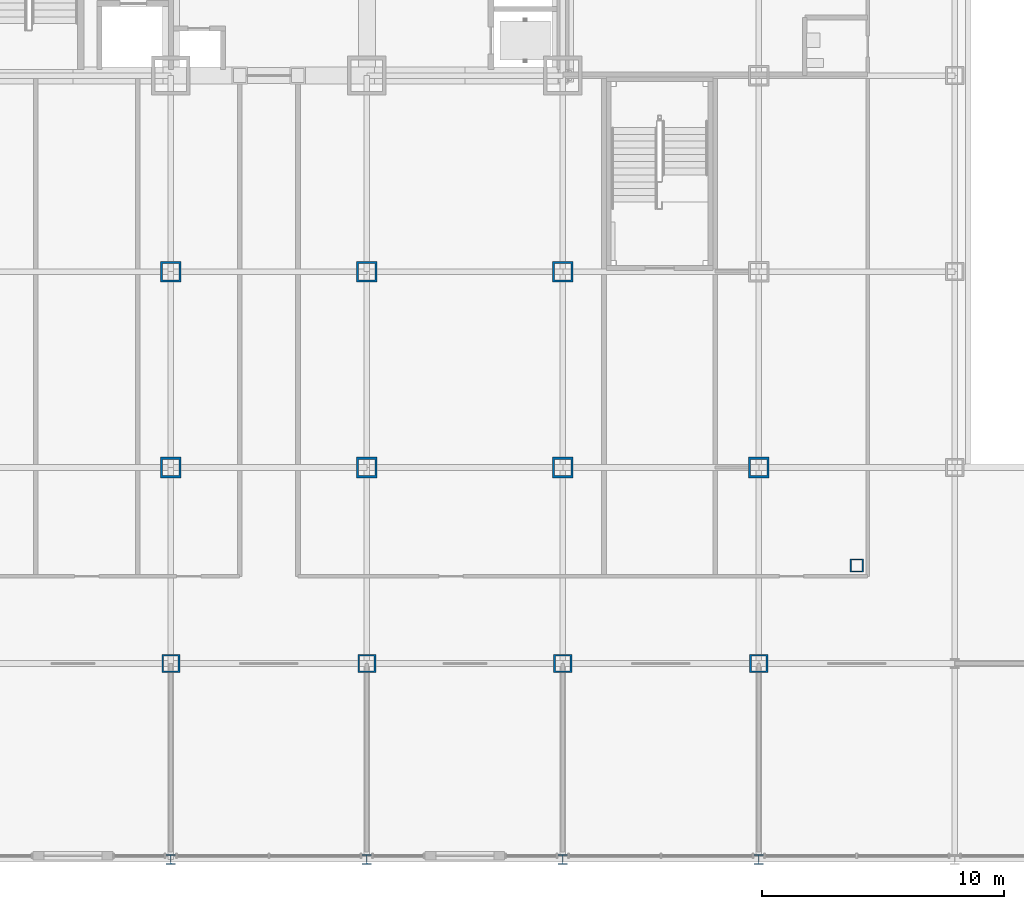
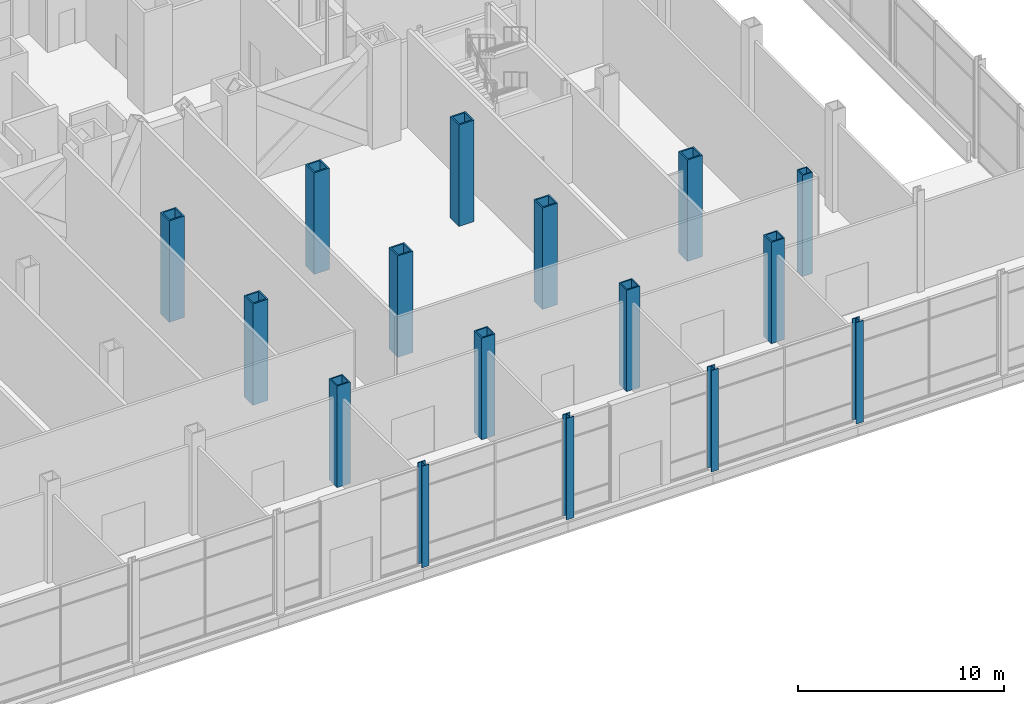
# One storey, part 3 of 35: 16 columns.
"""IFC4 building model written with IfcOpenShell, lengths in metres."""

from ifc_helpers import new_model, si_unit, direction, frame, origin, origin_2d, place, context, subcontext, project, spatial, hollow_rectangle, i_section, extrude, material, material_profile, profile_set, type_object, element, save


model = new_model("IFC4")

# Units and contexts
model_context = context("Model", 3, precision=1e-05, world=origin(), true_north=direction((0.0, 1.0)))
body_context = subcontext(model_context, "Body", "Model", "MODEL_VIEW")
ifc_project = project(units=[si_unit("LENGTHUNIT", "METRE"), si_unit("AREAUNIT", "SQUARE_METRE"), si_unit("VOLUMEUNIT", "CUBIC_METRE"), si_unit("PLANEANGLEUNIT", "RADIAN"), si_unit("MASSUNIT", "GRAM", prefix="KILO")], contexts=[model_context])

# Site, building, storey
site_placement = place(None, origin())
site = spatial("IfcSite", under=ifc_project, at=site_placement, CompositionType="ELEMENT")
building_placement = place(site_placement, origin())
building = spatial("IfcBuilding", under=site, at=building_placement, Name="Kopane Lantern Tower", CompositionType="ELEMENT")
storey_placement = place(building_placement, origin())
storey = spatial("IfcBuildingStorey", under=building, at=storey_placement, Name="L00", CompositionType="ELEMENT", Elevation=0.0)

# Columns
ifc_material_1 = material(Name="Steel S355JR", Category="steel")
ifc_material_profile_1 = material_profile(ifc_material_1, hollow_rectangle(XDim=0.550048828125, YDim=0.550048828125, WallThickness=0.050048828125, at=origin_2d()), Name="BOX 550x550x50")
ifc_profile_set_1 = profile_set([ifc_material_profile_1], Name="Steel S355JR")
column_type_1 = type_object("IfcColumnType", Name="COLUMN BOX 550x550x50", PredefinedType="COLUMN", material=ifc_profile_set_1)
column_placement = place(storey_placement, frame((52.64990234375, 4.050048828125, 0.0), z_axis=(0.0, 0.0, 1.0), x_axis=(1.0, 0.0, 0.0)))
element("IfcColumn", 1, at=column_placement, inside=storey, type_object=column_type_1, Name="Column 52.65/4.05 L00", PredefinedType="COLUMN", context=body_context, shape_type="SweptSolid", body=[
    extrude(hollow_rectangle(XDim=0.550048828125, YDim=0.550048828125, WallThickness=0.050048828125, at=origin_2d()), origin(), (0.0, 0.0, 1.0), 6.0),
])
ifc_material_2 = material(Name="Steel S355JR", Category="steel")
ifc_material_profile_2 = material_profile(ifc_material_2, hollow_rectangle(XDim=0.75, YDim=0.75, WallThickness=0.070068359375, at=origin_2d()), Name="BOX 750x750x70")
ifc_profile_set_2 = profile_set([ifc_material_profile_2], Name="Steel S355JR")
column_type_2 = type_object("IfcColumnType", Name="COLUMN BOX 750x750x70", PredefinedType="COLUMN", material=ifc_profile_set_2)
for number, where, z_axis, x_axis, name in (
    (2, (24.300048828125, 0.0, 0.0), (0.0, 0.0, 1.0), (1.0, 0.0, 0.0), "Column 5/B L00"),
    (3, (32.39990234375, 0.0, 0.0), (0.0, 0.0, 1.0), (1.0, 0.0, 0.0), "Column 6/B L00"),
    (4, (40.5, 0.0, 0.0), (0.0, 0.0, 1.0), (1.0, 0.0, 0.0), "Column 7/B L00"),
    (5, (48.60009765625, 0.0, 0.0), (0.0, 0.0, 1.0), (1.0, 0.0, 0.0), "Column 8/B L00"),
):
    element("IfcColumn", number, at=place(storey_placement, frame(where, z_axis=z_axis, x_axis=x_axis)), inside=storey, type_object=column_type_2, Name=name, PredefinedType="COLUMN", context=body_context, shape_type="SweptSolid", body=[
        extrude(hollow_rectangle(XDim=0.75, YDim=0.75, WallThickness=0.070068359375, at=origin_2d()), origin(), (0.0, 0.0, 1.0), 6.0),
    ])
ifc_material_3 = material(Name="Steel S355JR", Category="steel")
ifc_material_profile_3 = material_profile(ifc_material_3, hollow_rectangle(XDim=0.85009765625, YDim=0.85009765625, WallThickness=0.0849609375, at=origin_2d()), Name="BOX 850x850x85")
ifc_profile_set_3 = profile_set([ifc_material_profile_3], Name="Steel S355JR")
column_type_3 = type_object("IfcColumnType", Name="COLUMN BOX 850x850x85", PredefinedType="COLUMN", material=ifc_profile_set_3)
for number, where, z_axis, x_axis, name in (
    (6, (24.300048828125, 8.10009765625, 0.0), (0.0, 0.0, 1.0), (1.0, 0.0, 0.0), "Column 5/C L00"),
    (7, (24.300048828125, 16.199951171875, 0.0), (0.0, 0.0, 1.0), (1.0, 0.0, 0.0), "Column 5/D L00"),
    (8, (32.39990234375, 8.10009765625, 0.0), (0.0, 0.0, 1.0), (1.0, 0.0, 0.0), "Column 6/C L00"),
    (9, (32.39990234375, 16.199951171875, 0.0), (0.0, 0.0, 1.0), (1.0, 0.0, 0.0), "Column 6/D L00"),
    (10, (40.5, 8.10009765625, 0.0), (0.0, 0.0, 1.0), (1.0, 0.0, 0.0), "Column 7/C L00"),
    (11, (40.5, 16.199951171875, 0.0), (0.0, 0.0, 1.0), (1.0, 0.0, 0.0), "Column 7/D L00"),
    (12, (48.60009765625, 8.10009765625, 0.0), (0.0, 0.0, 1.0), (1.0, 0.0, 0.0), "Column 8/C L00"),
):
    element("IfcColumn", number, at=place(storey_placement, frame(where, z_axis=z_axis, x_axis=x_axis)), inside=storey, type_object=column_type_3, Name=name, PredefinedType="COLUMN", context=body_context, shape_type="SweptSolid", body=[
        extrude(hollow_rectangle(XDim=0.85009765625, YDim=0.85009765625, WallThickness=0.0849609375, at=origin_2d()), origin(), (0.0, 0.0, 1.0), 6.0),
    ])
ifc_material_4 = material(Name="Steel S355JR", Category="steel")
ifc_material_profile_4 = material_profile(ifc_material_4, i_section(OverallWidth=0.403076171875, OverallDepth=0.406494140625, WebThickness=0.026611328125, FlangeThickness=0.04296875, FilletRadius=0.01513671875, at=origin_2d()), Name="UC 356x406x340")
ifc_profile_set_4 = profile_set([ifc_material_profile_4], Name="Steel S355JR")
column_type_4 = type_object("IfcColumnType", Name="COLUMN UC 356x406x340", PredefinedType="COLUMN", material=ifc_profile_set_4)
for number, where, z_axis, x_axis, name in (
    (13, (24.300048828125, -8.10009765625, 0.0), (0.0, 0.0, 1.0), (1.0, 0.0, 0.0), "Column 5/A L00"),
    (14, (32.39990234375, -8.10009765625, 0.0), (0.0, 0.0, 1.0), (1.0, 0.0, 0.0), "Column 6/A L00"),
    (15, (40.5, -8.10009765625, 0.0), (0.0, 0.0, 1.0), (1.0, 0.0, 0.0), "Column 7/A L00"),
    (16, (48.60009765625, -8.10009765625, 0.0), (0.0, 0.0, 1.0), (1.0, 0.0, 0.0), "Column 8/A L00"),
):
    element("IfcColumn", number, at=place(storey_placement, frame(where, z_axis=z_axis, x_axis=x_axis)), inside=storey, type_object=column_type_4, Name=name, PredefinedType="COLUMN", context=body_context, shape_type="SweptSolid", body=[
        extrude(i_section(OverallWidth=0.403076171875, OverallDepth=0.406494140625, WebThickness=0.026611328125, FlangeThickness=0.04296875, FilletRadius=0.01513671875, at=origin_2d()), origin(), (0.0, 0.0, 1.0), 6.0),
    ])

save(model, "model.ifc")
